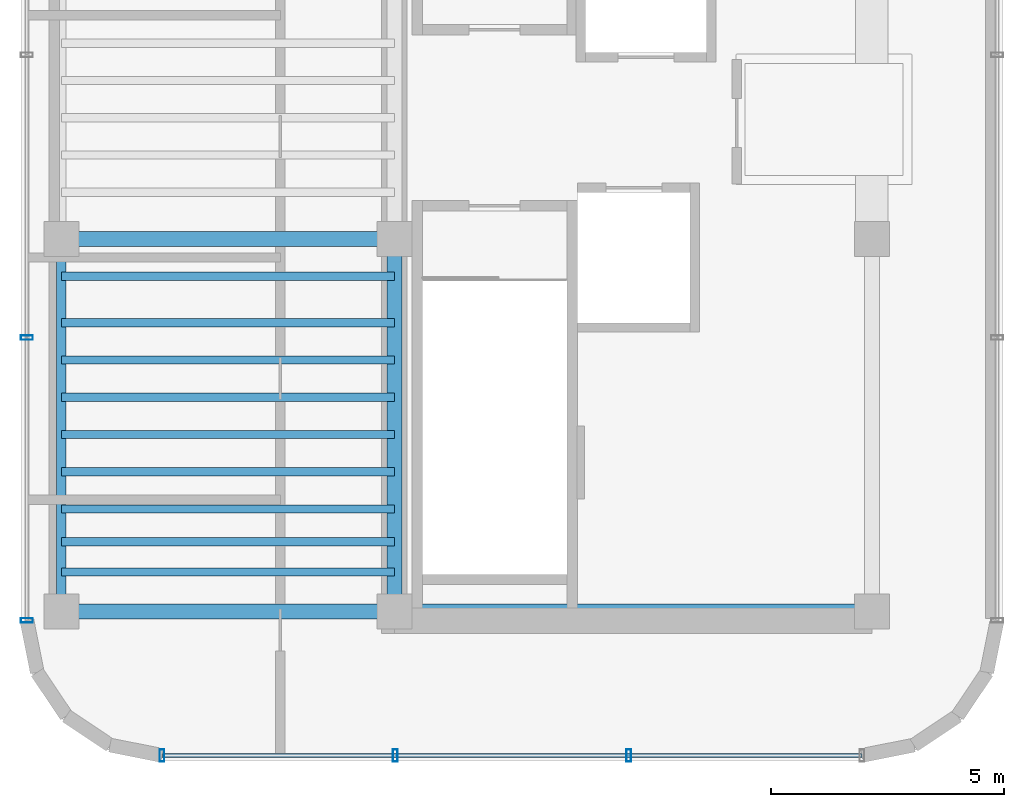
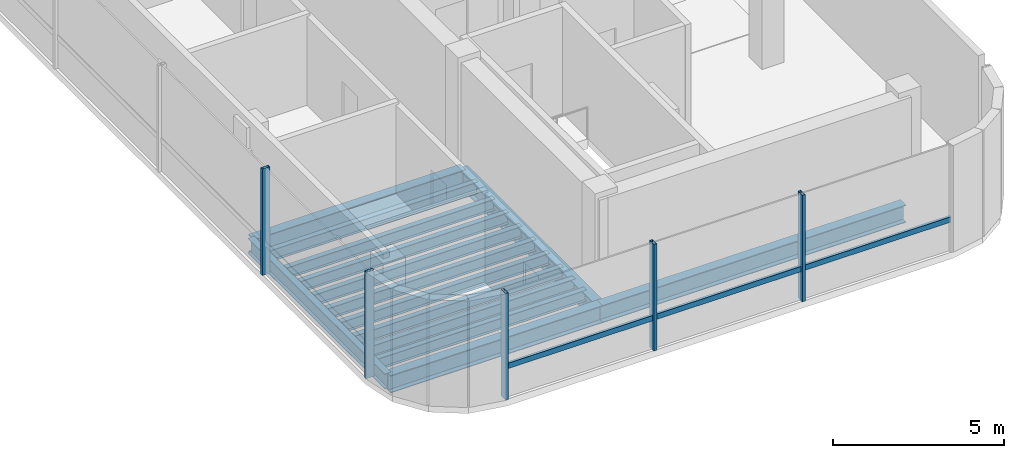
# One storey, part 2 of 11: 14 beams, 6 members, 2 elements without a shape of their own.
"""IFC4 building model written with IfcOpenShell, lengths in metres."""

from ifc_helpers import new_model, si_unit, direction, frame, origin, origin_2d, place, context, subcontext, project, spatial, hollow_rectangle, i_section, extrude, source, transform, mapped, material, material_profile, profile_set, type_object, element, aggregate, save


model = new_model("IFC4")

# Units and contexts
model_context = context("Model", 3, precision=1e-05, world=origin(), true_north=direction((0.0, 1.0)))
body_context = subcontext(model_context, "Body", "Model", "MODEL_VIEW")
ifc_project = project(units=[si_unit("LENGTHUNIT", "METRE"), si_unit("AREAUNIT", "SQUARE_METRE"), si_unit("VOLUMEUNIT", "CUBIC_METRE"), si_unit("PLANEANGLEUNIT", "RADIAN"), si_unit("MASSUNIT", "GRAM", prefix="KILO")], contexts=[model_context])

# Site, building, storey
site_placement = place(None, origin())
site = spatial("IfcSite", under=ifc_project, at=site_placement, CompositionType="ELEMENT")
building_placement = place(site_placement, origin())
building = spatial("IfcBuilding", under=site, at=building_placement, Name="Valdorenza Pilgrim Sanctuary Tower", CompositionType="ELEMENT")
storey_placement = place(building_placement, frame((0.0, 0.0, 303.60009765625)))
storey = spatial("IfcBuildingStorey", under=building, at=storey_placement, Name="L79", CompositionType="ELEMENT", Elevation=303.60009765625)

# Beams
ifc_material_1 = material(Name="Steel ASTM A992 Grade 50", Category="steel")
ifc_material_profile_1 = material_profile(ifc_material_1, i_section(OverallWidth=0.323974609375, OverallDepth=0.611083984375, WebThickness=0.0126953125, FlangeThickness=0.01904296875, at=origin_2d()), Name="W24X104")
ifc_profile_set_1 = profile_set([ifc_material_profile_1], Name="Steel ASTM A992 Grade 50")
beam_type_1 = type_object("IfcBeamType", Name="STR-BM-GRD-W24B", PredefinedType="BEAM", material=ifc_profile_set_1)
shared_shape_1 = source(origin(), body_context, "Body", "SweptSolid", [
    extrude(i_section(OverallWidth=0.323974609375, OverallDepth=0.611083984375, WebThickness=0.0126953125, FlangeThickness=0.01904296875, at=origin_2d()), origin(), (0.0, 0.0, 1.0), 8.0),
])
beam_1_placement = place(storey_placement, frame((-22.64990234375, -10.60009765625, -0.545654296875), z_axis=(0.0, 1.0, 0.0), x_axis=(-1.0, 0.0, 0.0)))
element("IfcBeam", 1, at=beam_1_placement, inside=storey, type_object=beam_type_1, Name="L79 Core Tie Girder CA-W-S1M0", PredefinedType="BEAM", context=body_context, shape_type="MappedRepresentation", body=[
    mapped(shared_shape_1, transform((0.0, 0.0, 0.0), x_axis=(1.0, 0.0, 0.0), y_axis=(0.0, 1.0, 0.0), z_axis=(0.0, 0.0, 1.0), scale=1.0)),
])
ifc_material_profile_2 = material_profile(ifc_material_1, i_section(OverallWidth=0.2109375, OverallDepth=0.5390625, WebThickness=0.01171875, FlangeThickness=0.018798828125, at=origin_2d()), Name="W21X73")
ifc_profile_set_2 = profile_set([ifc_material_profile_2], Name="Steel ASTM A992 Grade 50")
beam_type_2 = type_object("IfcBeamType", Name="STR-BM-SPN-W21B", PredefinedType="SPANDREL", material=ifc_profile_set_2)
shared_shape_2 = source(origin(), body_context, "Body", "SweptSolid", [
    extrude(i_section(OverallWidth=0.2109375, OverallDepth=0.5390625, WebThickness=0.01171875, FlangeThickness=0.018798828125, at=origin_2d()), origin(), (0.0, 0.0, 1.0), 8.0),
])
beam_2_placement = place(storey_placement, frame((-29.800048828125, -10.60009765625, -0.509521484375), z_axis=(0.0, 1.0, 0.0), x_axis=(-1.0, 0.0, 0.0)))
element("IfcBeam", 2, at=beam_2_placement, inside=storey, type_object=beam_type_2, Name="L79 Spandrel Beam WA-W-S1M0", PredefinedType="SPANDREL", context=body_context, shape_type="MappedRepresentation", body=[
    mapped(shared_shape_2, transform((0.0, 0.0, 0.0), x_axis=(1.0, 0.0, 0.0), y_axis=(0.0, 1.0, 0.0), z_axis=(0.0, 0.0, 1.0), scale=1.0)),
])
ifc_material_profile_3 = material_profile(ifc_material_1, i_section(OverallWidth=0.177978515625, OverallDepth=0.406005859375, WebThickness=0.0078125, FlangeThickness=0.0126953125, at=origin_2d()), Name="W16X40")
ifc_profile_set_3 = profile_set([ifc_material_profile_3], Name="Steel ASTM A992 Grade 50")
beam_type_3 = type_object("IfcBeamType", Name="STR-BM-JST-W16", PredefinedType="JOIST", material=ifc_profile_set_3)
shared_shape_3 = source(origin(), body_context, "Body", "SweptSolid", [
    extrude(i_section(OverallWidth=0.177978515625, OverallDepth=0.406005859375, WebThickness=0.0078125, FlangeThickness=0.0126953125, at=origin_2d()), origin(), (0.0, 0.0, 1.0), 7.150146484375),
])
for number, where, z_axis, x_axis, name in (
    (3, (-29.800048828125, -9.75, -0.443115234375), (1.0, 0.0, 0.0), (0.0, 1.0, 0.0), "L79 Composite Floor Joist JST-WA-1"),
    (4, (-29.800048828125, -9.10009765625, -0.443115234375), (1.0, 0.0, 0.0), (0.0, 1.0, 0.0), "L79 Composite Floor Joist JST-WA-2"),
    (5, (-29.800048828125, -8.39990234375, -0.443115234375), (1.0, 0.0, 0.0), (0.0, 1.0, 0.0), "L79 Composite Floor Joist JST-WA-3"),
    (6, (-29.800048828125, -7.60009765625, -0.443115234375), (1.0, 0.0, 0.0), (0.0, 1.0, 0.0), "L79 Composite Floor Joist JST-WA-4"),
    (7, (-29.800048828125, -6.800048828125, -0.443115234375), (1.0, 0.0, 0.0), (0.0, 1.0, 0.0), "L79 Composite Floor Joist JST-WA-5"),
    (8, (-29.800048828125, -6.0, -0.443115234375), (1.0, 0.0, 0.0), (0.0, 1.0, 0.0), "L79 Composite Floor Joist JST-WA-6"),
    (9, (-29.800048828125, -5.199951171875, -0.443115234375), (1.0, 0.0, 0.0), (0.0, 1.0, 0.0), "L79 Composite Floor Joist JST-WA-7"),
    (10, (-29.800048828125, -4.39990234375, -0.443115234375), (1.0, 0.0, 0.0), (0.0, 1.0, 0.0), "L79 Composite Floor Joist JST-WA-8"),
    (11, (-29.800048828125, -3.39990234375, -0.443115234375), (1.0, 0.0, 0.0), (0.0, 1.0, 0.0), "L79 Composite Floor Joist JST-WA-9"),
):
    element("IfcBeam", number, at=place(storey_placement, frame(where, z_axis=z_axis, x_axis=x_axis)), inside=storey, type_object=beam_type_3, Name=name, PredefinedType="JOIST", context=body_context, shape_type="MappedRepresentation", body=[
        mapped(shared_shape_3, transform((0.0, 0.0, 0.0), x_axis=(1.0, 0.0, 0.0), y_axis=(0.0, 1.0, 0.0), z_axis=(0.0, 0.0, 1.0), scale=1.0)),
    ])
ifc_material_profile_4 = material_profile(ifc_material_1, i_section(OverallWidth=0.326904296875, OverallDepth=0.6220703125, WebThickness=0.015380859375, FlangeThickness=0.0244140625, at=origin_2d()), Name="W24X131")
ifc_profile_set_4 = profile_set([ifc_material_profile_4], Name="Steel ASTM A992 Grade 50")
beam_type_4 = type_object("IfcBeamType", Name="STR-BM-GRD-W24A", PredefinedType="BEAM", material=ifc_profile_set_4)
shared_shape_4 = source(origin(), body_context, "Body", "SweptSolid", [
    extrude(i_section(OverallWidth=0.326904296875, OverallDepth=0.6220703125, WebThickness=0.015380859375, FlangeThickness=0.0244140625, at=origin_2d()), origin(), (0.0, 0.0, 1.0), 7.150146484375),
])
for number, where, z_axis, x_axis, name in (
    (12, (-29.800048828125, -10.60009765625, -0.551025390625), (1.0, 0.0, 0.0), (0.0, 1.0, 0.0), "L79 Floor Girder WA-XW-S1"),
    (13, (-29.800048828125, -2.60009765625, -0.551025390625), (1.0, 0.0, 0.0), (0.0, 1.0, 0.0), "L79 Floor Girder WA-XW-M0"),
):
    element("IfcBeam", number, at=place(storey_placement, frame(where, z_axis=z_axis, x_axis=x_axis)), inside=storey, type_object=beam_type_4, Name=name, PredefinedType="BEAM", context=body_context, shape_type="MappedRepresentation", body=[
        mapped(shared_shape_4, transform((0.0, 0.0, 0.0), x_axis=(1.0, 0.0, 0.0), y_axis=(0.0, 1.0, 0.0), z_axis=(0.0, 0.0, 1.0), scale=1.0)),
    ])
shared_shape_5 = source(origin(), body_context, "Body", "SweptSolid", [
    extrude(i_section(OverallWidth=0.326904296875, OverallDepth=0.6220703125, WebThickness=0.015380859375, FlangeThickness=0.0244140625, at=origin_2d()), origin(), (0.0, 0.0, 1.0), 10.25),
])
beam_3_placement = place(storey_placement, frame((-22.64990234375, -10.60009765625, -0.551025390625), z_axis=(1.0, 0.0, 0.0), x_axis=(0.0, 1.0, 0.0)))
element("IfcBeam", 14, at=beam_3_placement, inside=storey, type_object=beam_type_4, Name="L79 Floor Girder CA-XC-S1", PredefinedType="BEAM", context=body_context, shape_type="MappedRepresentation", body=[
    mapped(shared_shape_5, transform((0.0, 0.0, 0.0), x_axis=(1.0, 0.0, 0.0), y_axis=(0.0, 1.0, 0.0), z_axis=(0.0, 0.0, 1.0), scale=1.0)),
])

# Curtain wall, member
ifc_material_2 = material(Name="Curtain-wall IGU glazing", Category="glass")
curtain_wall_type = type_object("IfcCurtainWallType", Name="CW-SYS-06", PredefinedType="NOTDEFINED", material=ifc_material_2)
curtain_wall_1_placement = place(storey_placement, origin())
curtain_wall_1 = element("IfcCurtainWall", 15, at=curtain_wall_1_placement, inside=storey, type_object=curtain_wall_type, Name="L79 Curtain Wall CW-L79-1-16", PredefinedType="NOTDEFINED")
ifc_material_3 = material(Name="Anodised aluminium AW-6060", Category="aluminium")
ifc_material_profile_5 = material_profile(ifc_material_3, hollow_rectangle(XDim=0.090087890625, YDim=0.18994140625, WallThickness=0.00439453125, at=origin_2d()), Name="ALU-T 190x90x4.5")
ifc_profile_set_5 = profile_set([ifc_material_profile_5], Name="Anodised aluminium AW-6060")
member_type_1 = type_object("IfcMemberType", Name="CW-TRN-06", PredefinedType="USERDEFINED", material=ifc_profile_set_5)
shared_shape_6 = source(origin(), body_context, "Body", "SweptSolid", [
    extrude(hollow_rectangle(XDim=0.090087890625, YDim=0.18994140625, WallThickness=0.00439453125, at=origin_2d()), origin(), (0.0, 0.0, 1.0), 15.0283203125),
])
member_1_placement = place(storey_placement, frame((-12.61083984375, -13.68994140625, 1.119873046875), z_axis=(-1.0, 0.0, 0.0), x_axis=(0.0, -1.0, 0.0)))
member_1 = element("IfcMember", 16, at=member_1_placement, type_object=member_type_1, Name="CW-L79-1-16 Transom 1", ObjectType="TRANSOM", PredefinedType="USERDEFINED", context=body_context, shape_type="MappedRepresentation", body=[
    mapped(shared_shape_6, transform((0.0, 0.0, 0.0), x_axis=(1.0, 0.0, 0.0), y_axis=(0.0, 1.0, 0.0), z_axis=(0.0, 0.0, 1.0), scale=1.0)),
])

# Curtain wall, members
curtain_wall_2_placement = place(storey_placement, origin())
curtain_wall_2 = element("IfcCurtainWall", 17, at=curtain_wall_2_placement, inside=storey, type_object=curtain_wall_type, Name="L79 Curtain Wall CW-L79-1-1", PredefinedType="NOTDEFINED")
ifc_material_profile_6 = material_profile(ifc_material_3, hollow_rectangle(XDim=0.10009765625, YDim=0.260009765625, WallThickness=0.006103515625, at=origin_2d()), Name="ALU-M 260x100x6")
ifc_profile_set_6 = profile_set([ifc_material_profile_6], Name="Anodised aluminium AW-6060")
member_type_2 = type_object("IfcMemberType", Name="CW-MUL-06", PredefinedType="MULLION", material=ifc_profile_set_6)
shared_shape_7 = source(origin(), body_context, "Body", "SweptSolid", [
    extrude(hollow_rectangle(XDim=0.10009765625, YDim=0.260009765625, WallThickness=0.006103515625, at=origin_2d()), origin(), (0.0, 0.0, 1.0), 3.7998046875),
])
member_2_placement = place(storey_placement, frame((-30.5400390625, -10.789306640625, 0.0), z_axis=(0.0, 0.0, 1.0), x_axis=(0.0, 1.0, 0.0)))
member_2 = element("IfcMember", 18, at=member_2_placement, type_object=member_type_2, Name="CW-L79-1-1 Mullion 1", PredefinedType="MULLION", context=body_context, shape_type="MappedRepresentation", body=[
    mapped(shared_shape_7, transform((0.0, 0.0, 0.0), x_axis=(1.0, 0.0, 0.0), y_axis=(0.0, 1.0, 0.0), z_axis=(0.0, 0.0, 1.0), scale=1.0)),
])
member_3_placement = place(storey_placement, frame((-30.5400390625, -4.719482421875, 0.0), z_axis=(0.0, 0.0, 1.0), x_axis=(0.0, 1.0, 0.0)))
member_3 = element("IfcMember", 19, at=member_3_placement, type_object=member_type_2, Name="CW-L79-1-1 Mullion 2", PredefinedType="MULLION", context=body_context, shape_type="MappedRepresentation", body=[
    mapped(shared_shape_7, transform((0.0, 0.0, 0.0), x_axis=(1.0, 0.0, 0.0), y_axis=(0.0, 1.0, 0.0), z_axis=(0.0, 0.0, 1.0), scale=1.0)),
])
aggregate(curtain_wall_2, [member_2, member_3])

# Member
member_4_placement = place(storey_placement, frame((-17.620361328125, -13.68994140625, 0.0), z_axis=(0.0, 0.0, 1.0), x_axis=(-1.0, 0.0, 0.0)))
member_4 = element("IfcMember", 20, at=member_4_placement, type_object=member_type_2, Name="CW-L79-1-16 Mullion 2", PredefinedType="MULLION", context=body_context, shape_type="MappedRepresentation", body=[
    mapped(shared_shape_7, transform((0.0, 0.0, 0.0), x_axis=(1.0, 0.0, 0.0), y_axis=(0.0, 1.0, 0.0), z_axis=(0.0, 0.0, 1.0), scale=1.0)),
])

member_5_placement = place(storey_placement, frame((-22.629638671875, -13.68994140625, 0.0), z_axis=(0.0, 0.0, 1.0), x_axis=(-1.0, 0.0, 0.0)))
member_5 = element("IfcMember", 21, at=member_5_placement, type_object=member_type_2, Name="CW-L79-1-16 Mullion 3", PredefinedType="MULLION", context=body_context, shape_type="MappedRepresentation", body=[
    mapped(shared_shape_7, transform((0.0, 0.0, 0.0), x_axis=(1.0, 0.0, 0.0), y_axis=(0.0, 1.0, 0.0), z_axis=(0.0, 0.0, 1.0), scale=1.0)),
])

member_6_placement = place(storey_placement, frame((-27.63916015625, -13.68994140625, 0.0), z_axis=(0.0, 0.0, 1.0), x_axis=(-1.0, 0.0, 0.0)))
member_6 = element("IfcMember", 22, at=member_6_placement, type_object=member_type_2, Name="CW-L79-1-16 Mullion 4", PredefinedType="MULLION", context=body_context, shape_type="MappedRepresentation", body=[
    mapped(shared_shape_7, transform((0.0, 0.0, 0.0), x_axis=(1.0, 0.0, 0.0), y_axis=(0.0, 1.0, 0.0), z_axis=(0.0, 0.0, 1.0), scale=1.0)),
])

aggregate(curtain_wall_1, [member_4, member_5, member_6, member_1])

save(model, "model.ifc")
